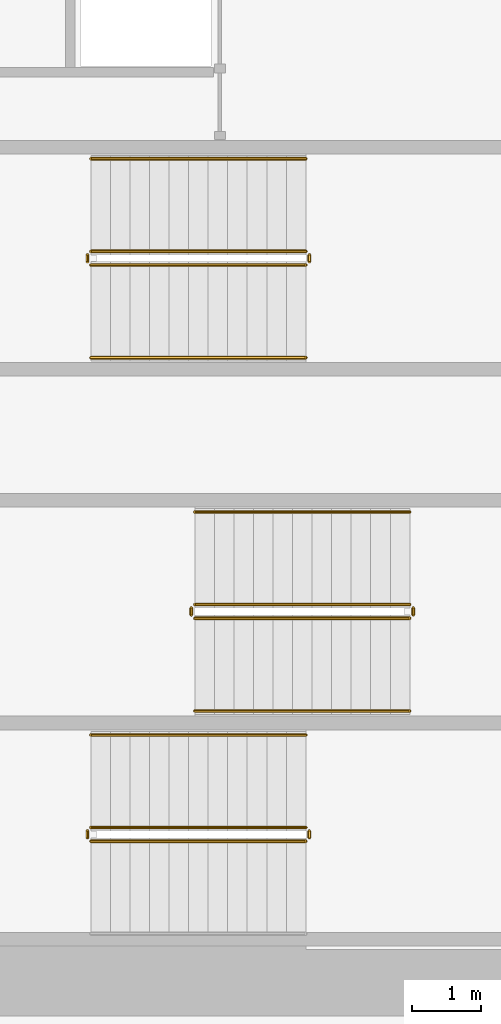
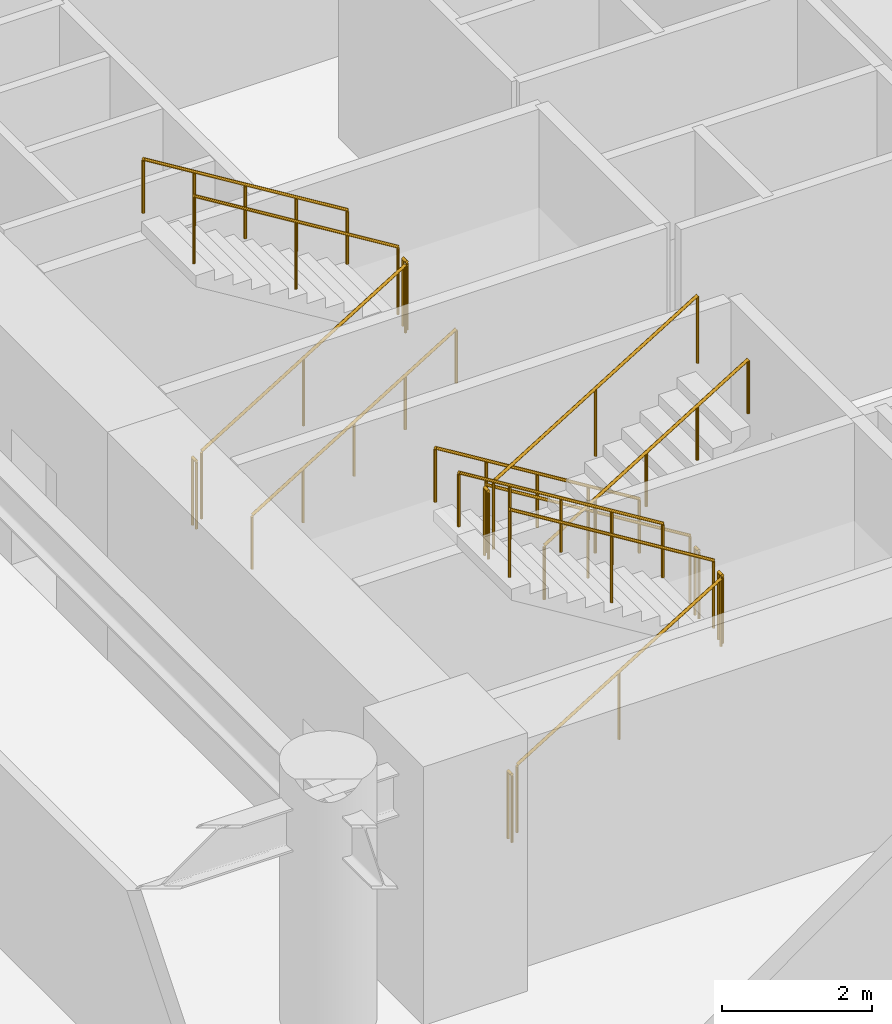
# One storey, part 19 of 20: 17 railings.
"""IFC4 building model written with IfcOpenShell, lengths in metres."""

import ifcopenshell
import ifcopenshell.guid

model = None  # the IFC model being written
_history = None  # IfcOwnerHistory: only IFC2X3 demands one
_inside = {}  # id of a spatial element -> (the spatial element, [elements in it])
_under = {}  # id of a project, library or spatial element -> (it, [spatial elements below it])
_declared = {}  # id of a project -> (the project, [libraries it declares])
_typed = {}  # id of a type object -> (the type object, [elements of that type])
_made_of = {}  # id of a material, layer set ... -> (it, [elements and type objects made of it])


def new_model(schema):
    """Start an empty IFC model of exactly this schema.

    Asked for "IFC4X3", IfcOpenShell would pick the latest addendum, in which some entities
    have other attributes; the version numbers below select the first issue.
    IFC2X3 requires an IfcOwnerHistory on every rooted entity: one is made here for all.
    """
    global model, _history
    if schema == "IFC4X3":
        model = ifcopenshell.file(schema_version=(4, 3, 0, 0))
    else:
        model = ifcopenshell.file(schema=schema)
    _inside.clear()
    _under.clear()
    _declared.clear()
    _typed.clear()
    _made_of.clear()
    _history = None
    if model.schema == "IFC2X3":
        org = make("IfcOrganization", Name="unknown")
        user = make(
            "IfcPersonAndOrganization",
            ThePerson=make("IfcPerson", FamilyName="unknown"),
            TheOrganization=org,
        )
        app = make(
            "IfcApplication",
            ApplicationDeveloper=org,
            Version="unknown",
            ApplicationFullName="unknown",
            ApplicationIdentifier="unknown",
        )
        _history = make(
            "IfcOwnerHistory",
            OwningUser=user,
            OwningApplication=app,
            ChangeAction="ADDED",
            CreationDate=0,
        )
    return model


def make(cls, **values):
    """One entity of the class cls with the attributes given. An attribute that is None is left unset."""
    return model.create_entity(
        cls, **{name: value for name, value in values.items() if value is not None}
    )


def rooted(cls, **values):
    """An entity with a GlobalId (a new one), such as an element, a storey or a relation."""
    return make(cls, GlobalId=ifcopenshell.guid.new(), OwnerHistory=_history, **values)


def si_unit(unit_type, name, prefix=None):
    """IfcSIUnit, for example si_unit("LENGTHUNIT", "METRE", prefix="MILLI")."""
    return make("IfcSIUnit", UnitType=unit_type, Prefix=prefix, Name=name)


def assignment(units):
    """IfcUnitAssignment: the units of a project."""
    return None if units is None else make("IfcUnitAssignment", Units=units)


def point(xyz):
    """IfcCartesianPoint."""
    return None if xyz is None else make("IfcCartesianPoint", Coordinates=xyz)


def direction(xyz):
    """IfcDirection."""
    return None if xyz is None else make("IfcDirection", DirectionRatios=xyz)


def frame(location, z_axis=None, x_axis=None):
    """IfcAxis2Placement3D, a coordinate frame: its origin and axes. An axis left out is left unset."""
    return make(
        "IfcAxis2Placement3D",
        Location=point(location),
        Axis=direction(z_axis),
        RefDirection=direction(x_axis),
    )


def frame_2d(location, x_axis=None):
    """IfcAxis2Placement2D, a coordinate frame in the plane: its origin and x axis."""
    return make(
        "IfcAxis2Placement2D", Location=point(location), RefDirection=direction(x_axis)
    )


def origin():
    """The frame at (0, 0, 0) with its axes left unset."""
    return frame((0.0, 0.0, 0.0))


def origin_2d():
    """The frame at (0, 0) in the plane with its x axis left unset."""
    return frame_2d((0.0, 0.0))


def place(relative_to, where):
    """IfcLocalPlacement: puts the frame where relative to a parent placement (None: the world)."""
    return make(
        "IfcLocalPlacement", PlacementRelTo=relative_to, RelativePlacement=where
    )


def context(
    kind, dimensions, precision=None, world=None, true_north=None, identifier=None
):
    """IfcGeometricRepresentationContext, for example the 3D "Model" context."""
    return make(
        "IfcGeometricRepresentationContext",
        ContextIdentifier=identifier,
        ContextType=kind,
        CoordinateSpaceDimension=dimensions,
        Precision=precision,
        WorldCoordinateSystem=world,
        TrueNorth=true_north,
    )


def subcontext(parent, identifier, kind, view, scale=None):
    """IfcGeometricRepresentationSubContext, for example "Body" below "Model"."""
    return make(
        "IfcGeometricRepresentationSubContext",
        ContextIdentifier=identifier,
        ContextType=kind,
        ParentContext=parent,
        TargetScale=scale,
        TargetView=view,
    )


def project(units=None, contexts=None):
    """IfcProject with its units and contexts."""
    return rooted(
        "IfcProject",
        Name="project",
        RepresentationContexts=contexts,
        UnitsInContext=assignment(units),
    )


def spatial(cls, under=None, at=None, **own):
    """A site, building, storey or space (cls), placed at a placement, below another one or the project."""
    s = rooted(cls, ObjectPlacement=at, **own)
    if under is not None:
        _under.setdefault(under.id(), (under, []))[1].append(s)
    return s


def profile(cls, at=None, kind="AREA", **sizes):
    """A parametric profile (cls). Its sizes go by their IFC names, for example OverallWidth=200.0."""
    return make(cls, ProfileType=kind, Position=at, **sizes)


def circle(**sizes):
    """IfcCircleProfileDef."""
    return profile("IfcCircleProfileDef", **sizes)


def extrude(swept, where, along, depth):
    """IfcExtrudedAreaSolid: the profile swept, set in the frame where, extruded along a direction by depth."""
    return make(
        "IfcExtrudedAreaSolid",
        SweptArea=swept,
        Position=where,
        ExtrudedDirection=direction(along),
        Depth=depth,
    )


def shape(context_of_items, identifier, shape_type, items):
    """IfcShapeRepresentation: the items that make up one representation, for example the "Body"."""
    return make(
        "IfcShapeRepresentation",
        ContextOfItems=context_of_items,
        RepresentationIdentifier=identifier,
        RepresentationType=shape_type,
        Items=items,
    )


def material(Name=None, Category=None):
    """IfcMaterial."""
    return make("IfcMaterial", Name=Name, Category=Category)


def made_of(thing, what):
    """Note that an element or type object is made of a material, layer set ...; save() writes the relation."""
    if what is not None:
        _made_of.setdefault(what.id(), (what, []))[1].append(thing)
    return thing


def type_object(cls, material=None, **own):
    """A type object (cls), such as IfcWallType, which elements share."""
    return made_of(rooted(cls, **own), material)


def element(
    cls,
    number,
    at=None,
    inside=None,
    cuts=None,
    type_object=None,
    material=None,
    context=None,
    identifier="Body",
    shape_type=None,
    held_by="IfcProductDefinitionShape",
    body=None,
    shapes=None,
    **own,
):
    """One element of the class cls, such as IfcWall. Its Tag is "e" and its number.

    at: its placement. inside: the storey or other place that contains it. cuts: it is an
    opening in that element (IfcRelVoidsElement). A single representation is given by context,
    identifier, shape_type and body (its items); several are given by shapes. held_by: the class
    of the entity that holds the representations. save() writes the other relations.
    """
    e = rooted(cls, Tag="e%d" % number, ObjectPlacement=at, **own)
    if body is not None:
        shapes = [shape(context, identifier, shape_type, body)]
    if shapes is not None:
        e.Representation = make(held_by, Representations=shapes)
    if inside is not None:
        _inside.setdefault(inside.id(), (inside, []))[1].append(e)
    if cuts is not None:
        rooted(
            "IfcRelVoidsElement", RelatingBuildingElement=cuts, RelatedOpeningElement=e
        )
    if type_object is not None:
        _typed.setdefault(type_object.id(), (type_object, []))[1].append(e)
    return made_of(e, material)


def aggregate(whole, parts):
    """IfcRelAggregates: a whole, such as a stair, and the parts it consists of."""
    return rooted("IfcRelAggregates", RelatingObject=whole, RelatedObjects=parts)


def save(model, path):
    """Write the relations noted so far, then the file.

    IfcRelAggregates (storeys below a building ...), IfcRelContainedInSpatialStructure (elements
    in a storey), IfcRelDefinesByType, IfcRelAssociatesMaterial and IfcRelDeclares: one each for
    every whole, place, type object, material and project.
    """
    for whole, parts in _under.values():
        aggregate(whole, parts)
    for where, things in _inside.values():
        rooted(
            "IfcRelContainedInSpatialStructure",
            RelatedElements=things,
            RelatingStructure=where,
        )
    for kind, things in _typed.values():
        rooted("IfcRelDefinesByType", RelatedObjects=things, RelatingType=kind)
    for what, things in _made_of.values():
        rooted("IfcRelAssociatesMaterial", RelatedObjects=things, RelatingMaterial=what)
    for by, libraries in _declared.values():
        rooted("IfcRelDeclares", RelatingContext=by, RelatedDefinitions=libraries)
    model.write(path)


model = new_model("IFC4")

# Units and contexts
model_context = context("Model", 3, precision=1e-05, world=origin(), true_north=direction((0.0, 1.0)))
body_context = subcontext(model_context, "Body", "Model", "MODEL_VIEW")
ifc_project = project(units=[si_unit("LENGTHUNIT", "METRE"), si_unit("AREAUNIT", "SQUARE_METRE"), si_unit("VOLUMEUNIT", "CUBIC_METRE"), si_unit("PLANEANGLEUNIT", "RADIAN"), si_unit("MASSUNIT", "GRAM", prefix="KILO")], contexts=[model_context])

# Site, building, storey
site_placement = place(None, origin())
site = spatial("IfcSite", under=ifc_project, at=site_placement, CompositionType="ELEMENT")
building_placement = place(site_placement, origin())
building = spatial("IfcBuilding", under=site, at=building_placement, Name="Narakoshi Arena Tower", CompositionType="ELEMENT")
storey_placement = place(building_placement, frame((0.0, 0.0, 17.39990234375)))
storey = spatial("IfcBuildingStorey", under=building, at=storey_placement, Name="L04", CompositionType="ELEMENT", Elevation=17.39990234375)

# Railings
ifc_material_1 = material(Name="Clear low-iron laminated structural glass", Category="glass")
railing_type_1 = type_object("IfcRailingType", Name="RL-BAL-1100", PredefinedType="BALUSTRADE", material=ifc_material_1)
railing_1_placement = place(storey_placement, frame((74.39990234375, 36.949951171875, 0.175048828125)))
element("IfcRailing", 1, at=railing_1_placement, inside=storey, type_object=railing_type_1, Name="L04 ST1 stair guard 1", PredefinedType="BALUSTRADE", context=body_context, shape_type="SweptSolid", body=[
    extrude(circle(Radius=0.02392578125, at=origin_2d()), frame((0.0, 0.0, 1.09619140625), z_axis=(0.852166034122, 0.0, 0.523271488128), x_axis=(0.0, 1.0, 0.0)), (0.0, 0.0, 1.0), 3.678955078125),
    extrude(circle(Radius=0.02099609375, at=origin_2d()), origin(), (0.0, 0.0, 1.0), 1.072021484375),
    extrude(circle(Radius=0.02099609375, at=origin_2d()), frame((1.5673828125, 0.0, 0.96240234375)), (0.0, 0.0, 1.0), 1.072021484375),
    extrude(circle(Radius=0.02099609375, at=origin_2d()), frame((3.135009765625, 0.0, 1.925048828125)), (0.0, 0.0, 1.0), 1.072021484375),
])
railing_2_placement = place(storey_placement, frame((77.5849609375, 37.0, 2.10009765625)))
element("IfcRailing", 2, at=railing_2_placement, inside=storey, type_object=railing_type_1, Name="L04 ST1 stair guard 2", PredefinedType="BALUSTRADE", context=body_context, shape_type="SweptSolid", body=[
    extrude(circle(Radius=0.02392578125, at=origin_2d()), frame((0.0, 0.0, 1.09619140625), z_axis=(0.0, 1.0, 0.0), x_axis=(-1.0, 0.0, 0.0)), (0.0, 0.0, 1.0), 0.10009765625),
    extrude(circle(Radius=0.02099609375, at=origin_2d()), origin(), (0.0, 0.0, 1.0), 1.072021484375),
    extrude(circle(Radius=0.02099609375, at=origin_2d()), frame((0.0, 0.10009765625, 0.0)), (0.0, 0.0, 1.0), 1.072021484375),
])
railing_3_placement = place(storey_placement, frame((77.534912109375, 37.14990234375, 2.275146484375)))
element("IfcRailing", 3, at=railing_3_placement, inside=storey, type_object=railing_type_1, Name="L04 ST1 stair guard 3", PredefinedType="BALUSTRADE", context=body_context, shape_type="SweptSolid", body=[
    extrude(circle(Radius=0.02392578125, at=origin_2d()), frame((0.0, 0.0, 1.09619140625), z_axis=(-0.852166034122, 0.0, 0.523271488128), x_axis=(0.0, -1.0, 0.0)), (0.0, 0.0, 1.0), 3.678955078125),
    extrude(circle(Radius=0.02099609375, at=origin_2d()), origin(), (0.0, 0.0, 1.0), 1.072021484375),
    extrude(circle(Radius=0.02099609375, at=origin_2d()), frame((-1.5673828125, 0.0, 0.96240234375)), (0.0, 0.0, 1.0), 1.072021484375),
    extrude(circle(Radius=0.02099609375, at=origin_2d()), frame((-3.135009765625, 0.0, 1.925048828125)), (0.0, 0.0, 1.0), 1.072021484375),
])
railing_4_placement = place(storey_placement, frame((74.35009765625, 37.0, 0.0)))
element("IfcRailing", 4, at=railing_4_placement, inside=storey, type_object=railing_type_1, Name="L04 ST1 stair guard 4", PredefinedType="BALUSTRADE", context=body_context, shape_type="SweptSolid", body=[
    extrude(circle(Radius=0.02392578125, at=origin_2d()), frame((0.0, 0.0, 1.09619140625), z_axis=(0.0, 1.0, 0.0), x_axis=(-1.0, 0.0, 0.0)), (0.0, 0.0, 1.0), 0.10009765625),
    extrude(circle(Radius=0.02099609375, at=origin_2d()), origin(), (0.0, 0.0, 1.0), 1.072021484375),
    extrude(circle(Radius=0.02099609375, at=origin_2d()), frame((0.0, 0.10009765625, 0.0)), (0.0, 0.0, 1.0), 1.072021484375),
])
railing_5_placement = place(storey_placement, frame((79.050048828125, 40.39990234375, 0.175048828125)))
element("IfcRailing", 5, at=railing_5_placement, inside=storey, type_object=railing_type_1, Name="L04 ST2 stair guard 1", PredefinedType="BALUSTRADE", context=body_context, shape_type="SweptSolid", body=[
    extrude(circle(Radius=0.02392578125, at=origin_2d()), frame((0.0, 0.0, 1.09619140625), z_axis=(-0.852166034122, 0.0, 0.523271488128), x_axis=(0.0, -1.0, 0.0)), (0.0, 0.0, 1.0), 3.678955078125),
    extrude(circle(Radius=0.02099609375, at=origin_2d()), origin(), (0.0, 0.0, 1.0), 1.072021484375),
    extrude(circle(Radius=0.02099609375, at=origin_2d()), frame((-1.5673828125, 0.0, 0.96240234375)), (0.0, 0.0, 1.0), 1.072021484375),
    extrude(circle(Radius=0.02099609375, at=origin_2d()), frame((-3.135009765625, 0.0, 1.925048828125)), (0.0, 0.0, 1.0), 1.072021484375),
])
railing_6_placement = place(storey_placement, frame((75.864990234375, 40.35009765625, 2.10009765625)))
element("IfcRailing", 6, at=railing_6_placement, inside=storey, type_object=railing_type_1, Name="L04 ST2 stair guard 2", PredefinedType="BALUSTRADE", context=body_context, shape_type="SweptSolid", body=[
    extrude(circle(Radius=0.02392578125, at=origin_2d()), frame((0.0, 0.0, 1.09619140625), z_axis=(0.0, -1.0, 0.0), x_axis=(1.0, 0.0, 0.0)), (0.0, 0.0, 1.0), 0.10009765625),
    extrude(circle(Radius=0.02099609375, at=origin_2d()), origin(), (0.0, 0.0, 1.0), 1.072021484375),
    extrude(circle(Radius=0.02099609375, at=origin_2d()), frame((0.0, -0.10009765625, 0.0)), (0.0, 0.0, 1.0), 1.072021484375),
])
railing_7_placement = place(storey_placement, frame((75.9150390625, 40.199951171875, 2.275146484375)))
element("IfcRailing", 7, at=railing_7_placement, inside=storey, type_object=railing_type_1, Name="L04 ST2 stair guard 3", PredefinedType="BALUSTRADE", context=body_context, shape_type="SweptSolid", body=[
    extrude(circle(Radius=0.02392578125, at=origin_2d()), frame((0.0, 0.0, 1.09619140625), z_axis=(0.852166034122, 0.0, 0.523271488128), x_axis=(0.0, 1.0, 0.0)), (0.0, 0.0, 1.0), 3.678955078125),
    extrude(circle(Radius=0.02099609375, at=origin_2d()), origin(), (0.0, 0.0, 1.0), 1.072021484375),
    extrude(circle(Radius=0.02099609375, at=origin_2d()), frame((1.5673828125, 0.0, 0.96240234375)), (0.0, 0.0, 1.0), 1.072021484375),
    extrude(circle(Radius=0.02099609375, at=origin_2d()), frame((3.135009765625, 0.0, 1.925048828125)), (0.0, 0.0, 1.0), 1.072021484375),
])
railing_8_placement = place(storey_placement, frame((79.10009765625, 40.35009765625, 0.0)))
element("IfcRailing", 8, at=railing_8_placement, inside=storey, type_object=railing_type_1, Name="L04 ST2 stair guard 4", PredefinedType="BALUSTRADE", context=body_context, shape_type="SweptSolid", body=[
    extrude(circle(Radius=0.02392578125, at=origin_2d()), frame((0.0, 0.0, 1.09619140625), z_axis=(0.0, -1.0, 0.0), x_axis=(1.0, 0.0, 0.0)), (0.0, 0.0, 1.0), 0.10009765625),
    extrude(circle(Radius=0.02099609375, at=origin_2d()), origin(), (0.0, 0.0, 1.0), 1.072021484375),
    extrude(circle(Radius=0.02099609375, at=origin_2d()), frame((0.0, -0.10009765625, 0.0)), (0.0, 0.0, 1.0), 1.072021484375),
])
railing_9_placement = place(storey_placement, frame((74.39990234375, 45.35009765625, 0.175048828125)))
element("IfcRailing", 9, at=railing_9_placement, inside=storey, type_object=railing_type_1, Name="L04 ST3 stair guard 1", PredefinedType="BALUSTRADE", context=body_context, shape_type="SweptSolid", body=[
    extrude(circle(Radius=0.02392578125, at=origin_2d()), frame((0.0, 0.0, 1.09619140625), z_axis=(0.852166034122, 0.0, 0.523271488128), x_axis=(0.0, 1.0, 0.0)), (0.0, 0.0, 1.0), 3.678955078125),
    extrude(circle(Radius=0.02099609375, at=origin_2d()), origin(), (0.0, 0.0, 1.0), 1.072021484375),
    extrude(circle(Radius=0.02099609375, at=origin_2d()), frame((1.5673828125, 0.0, 0.96240234375)), (0.0, 0.0, 1.0), 1.072021484375),
    extrude(circle(Radius=0.02099609375, at=origin_2d()), frame((3.135009765625, 0.0, 1.925048828125)), (0.0, 0.0, 1.0), 1.072021484375),
])
railing_10_placement = place(storey_placement, frame((77.5849609375, 45.39990234375, 2.10009765625)))
element("IfcRailing", 10, at=railing_10_placement, inside=storey, type_object=railing_type_1, Name="L04 ST3 stair guard 2", PredefinedType="BALUSTRADE", context=body_context, shape_type="SweptSolid", body=[
    extrude(circle(Radius=0.02392578125, at=origin_2d()), frame((0.0, 0.0, 1.09619140625), z_axis=(0.0, 1.0, 0.0), x_axis=(-1.0, 0.0, 0.0)), (0.0, 0.0, 1.0), 0.10009765625),
    extrude(circle(Radius=0.02099609375, at=origin_2d()), origin(), (0.0, 0.0, 1.0), 1.072021484375),
    extrude(circle(Radius=0.02099609375, at=origin_2d()), frame((0.0, 0.10009765625, 0.0)), (0.0, 0.0, 1.0), 1.072021484375),
])
railing_11_placement = place(storey_placement, frame((77.534912109375, 45.550048828125, 2.275146484375)))
element("IfcRailing", 11, at=railing_11_placement, inside=storey, type_object=railing_type_1, Name="L04 ST3 stair guard 3", PredefinedType="BALUSTRADE", context=body_context, shape_type="SweptSolid", body=[
    extrude(circle(Radius=0.02392578125, at=origin_2d()), frame((0.0, 0.0, 1.09619140625), z_axis=(-0.852166034122, 0.0, 0.523271488128), x_axis=(0.0, -1.0, 0.0)), (0.0, 0.0, 1.0), 3.678955078125),
    extrude(circle(Radius=0.02099609375, at=origin_2d()), origin(), (0.0, 0.0, 1.0), 1.072021484375),
    extrude(circle(Radius=0.02099609375, at=origin_2d()), frame((-1.5673828125, 0.0, 0.96240234375)), (0.0, 0.0, 1.0), 1.072021484375),
    extrude(circle(Radius=0.02099609375, at=origin_2d()), frame((-3.135009765625, 0.0, 1.925048828125)), (0.0, 0.0, 1.0), 1.072021484375),
])
railing_12_placement = place(storey_placement, frame((74.35009765625, 45.39990234375, 0.0)))
element("IfcRailing", 12, at=railing_12_placement, inside=storey, type_object=railing_type_1, Name="L04 ST3 stair guard 4", PredefinedType="BALUSTRADE", context=body_context, shape_type="SweptSolid", body=[
    extrude(circle(Radius=0.02392578125, at=origin_2d()), frame((0.0, 0.0, 1.09619140625), z_axis=(0.0, 1.0, 0.0), x_axis=(-1.0, 0.0, 0.0)), (0.0, 0.0, 1.0), 0.10009765625),
    extrude(circle(Radius=0.02099609375, at=origin_2d()), origin(), (0.0, 0.0, 1.0), 1.072021484375),
    extrude(circle(Radius=0.02099609375, at=origin_2d()), frame((0.0, 0.10009765625, 0.0)), (0.0, 0.0, 1.0), 1.072021484375),
])
ifc_material_2 = material(Name="Brushed bronze stainless steel", Category="steel")
railing_type_2 = type_object("IfcRailingType", Name="RL-HND-900", PredefinedType="HANDRAIL", material=ifc_material_2)
for number, where, name in (
    (13, (77.534912109375, 38.5, 2.275146484375), "L04 ST1 stair handrail 2"),
    (14, (79.050048828125, 41.75, 0.175048828125), "L04 ST2 stair handrail 1"),
):
    element("IfcRailing", number, at=place(storey_placement, frame(where)), inside=storey, type_object=railing_type_2, Name=name, PredefinedType="HANDRAIL", context=body_context, shape_type="SweptSolid", body=[
        extrude(circle(Radius=0.02392578125, at=origin_2d()), frame((0.0, 0.0, 0.8759765625), z_axis=(-0.852166034122, 0.0, 0.523271488128), x_axis=(0.0, -1.0, 0.0)), (0.0, 0.0, 1.0), 3.678955078125),
        extrude(circle(Radius=0.02099609375, at=origin_2d()), origin(), (0.0, 0.0, 1.0), 0.851806640625),
        extrude(circle(Radius=0.02099609375, at=origin_2d()), frame((-0.78369140625, 0.0, 0.481201171875)), (0.0, 0.0, 1.0), 0.851806640625),
        extrude(circle(Radius=0.02099609375, at=origin_2d()), frame((-1.5673828125, 0.0, 0.96240234375)), (0.0, 0.0, 1.0), 0.851806640625),
        extrude(circle(Radius=0.02099609375, at=origin_2d()), frame((-2.351318359375, 0.0, 1.44384765625)), (0.0, 0.0, 1.0), 0.851806640625),
        extrude(circle(Radius=0.02099609375, at=origin_2d()), frame((-3.135009765625, 0.0, 1.925048828125)), (0.0, 0.0, 1.0), 0.851806640625),
    ])
for number, where, name in (
    (15, (75.9150390625, 38.85009765625, 2.275146484375), "L04 ST2 stair handrail 2"),
    (16, (74.39990234375, 44.0, 0.175048828125), "L04 ST3 stair handrail 1"),
):
    element("IfcRailing", number, at=place(storey_placement, frame(where)), inside=storey, type_object=railing_type_2, Name=name, PredefinedType="HANDRAIL", context=body_context, shape_type="SweptSolid", body=[
        extrude(circle(Radius=0.02392578125, at=origin_2d()), frame((0.0, 0.0, 0.8759765625), z_axis=(0.852166034122, 0.0, 0.523271488128), x_axis=(0.0, 1.0, 0.0)), (0.0, 0.0, 1.0), 3.678955078125),
        extrude(circle(Radius=0.02099609375, at=origin_2d()), origin(), (0.0, 0.0, 1.0), 0.851806640625),
        extrude(circle(Radius=0.02099609375, at=origin_2d()), frame((0.78369140625, 0.0, 0.481201171875)), (0.0, 0.0, 1.0), 0.851806640625),
        extrude(circle(Radius=0.02099609375, at=origin_2d()), frame((1.5673828125, 0.0, 0.96240234375)), (0.0, 0.0, 1.0), 0.851806640625),
        extrude(circle(Radius=0.02099609375, at=origin_2d()), frame((2.351318359375, 0.0, 1.44384765625)), (0.0, 0.0, 1.0), 0.851806640625),
        extrude(circle(Radius=0.02099609375, at=origin_2d()), frame((3.135009765625, 0.0, 1.925048828125)), (0.0, 0.0, 1.0), 0.851806640625),
    ])
railing_13_placement = place(storey_placement, frame((77.534912109375, 46.89990234375, 2.275146484375)))
element("IfcRailing", 17, at=railing_13_placement, inside=storey, type_object=railing_type_2, Name="L04 ST3 stair handrail 2", PredefinedType="HANDRAIL", context=body_context, shape_type="SweptSolid", body=[
    extrude(circle(Radius=0.02392578125, at=origin_2d()), frame((0.0, 0.0, 0.8759765625), z_axis=(-0.852166034122, 0.0, 0.523271488128), x_axis=(0.0, -1.0, 0.0)), (0.0, 0.0, 1.0), 3.678955078125),
    extrude(circle(Radius=0.02099609375, at=origin_2d()), origin(), (0.0, 0.0, 1.0), 0.851806640625),
    extrude(circle(Radius=0.02099609375, at=origin_2d()), frame((-0.78369140625, 0.0, 0.481201171875)), (0.0, 0.0, 1.0), 0.851806640625),
    extrude(circle(Radius=0.02099609375, at=origin_2d()), frame((-1.5673828125, 0.0, 0.96240234375)), (0.0, 0.0, 1.0), 0.851806640625),
    extrude(circle(Radius=0.02099609375, at=origin_2d()), frame((-2.351318359375, 0.0, 1.44384765625)), (0.0, 0.0, 1.0), 0.851806640625),
    extrude(circle(Radius=0.02099609375, at=origin_2d()), frame((-3.135009765625, 0.0, 1.925048828125)), (0.0, 0.0, 1.0), 0.851806640625),
])

save(model, "model.ifc")
